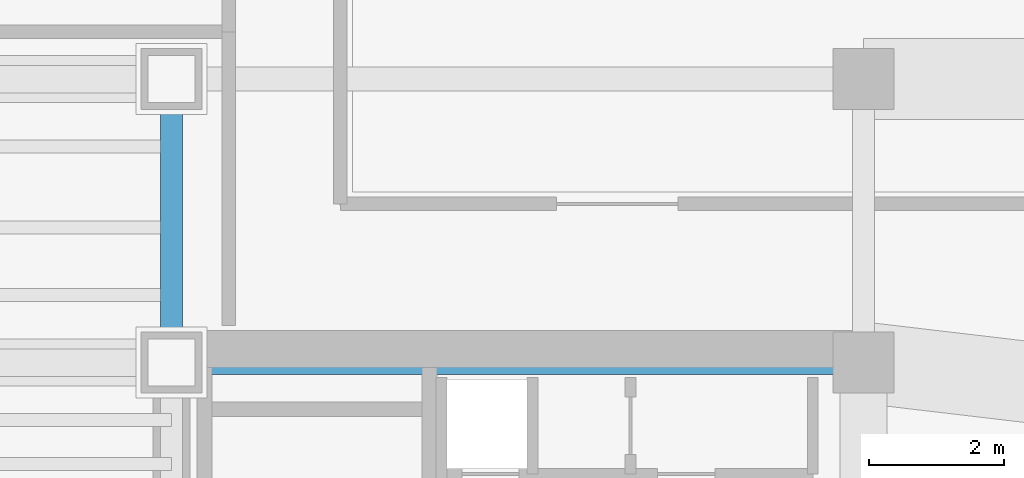
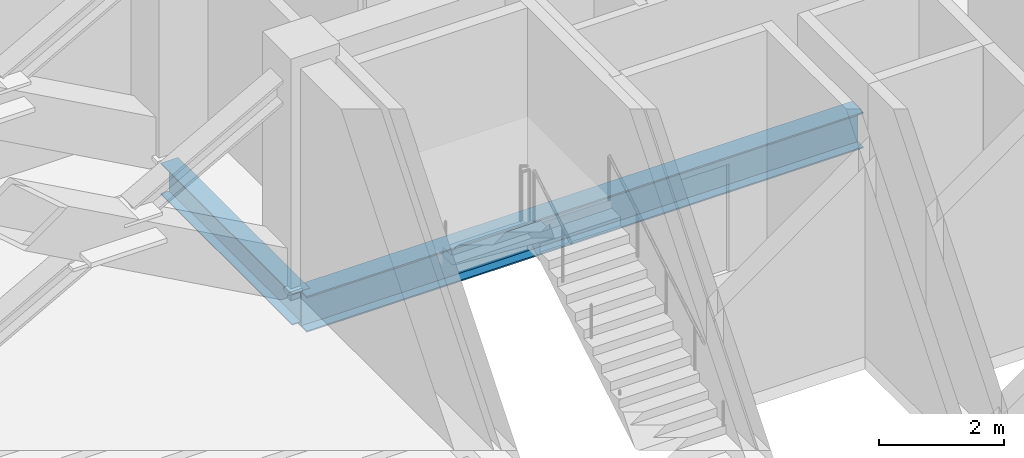
# One storey, part 8 of 20: 2 beams.
"""IFC4 building model written with IfcOpenShell, lengths in metres."""

from ifc_helpers import new_model, si_unit, direction, frame, origin, origin_2d, place, context, subcontext, project, spatial, i_section, extrude, source, transform, mapped, material, material_profile, profile_set, type_object, element, save


model = new_model("IFC4")

# Units and contexts
model_context = context("Model", 3, precision=1e-05, world=origin(), true_north=direction((0.0, 1.0)))
body_context = subcontext(model_context, "Body", "Model", "MODEL_VIEW")
ifc_project = project(units=[si_unit("LENGTHUNIT", "METRE"), si_unit("AREAUNIT", "SQUARE_METRE"), si_unit("VOLUMEUNIT", "CUBIC_METRE"), si_unit("PLANEANGLEUNIT", "RADIAN"), si_unit("MASSUNIT", "GRAM", prefix="KILO")], contexts=[model_context])

# Site, building, storey
site_placement = place(None, origin())
site = spatial("IfcSite", under=ifc_project, at=site_placement, CompositionType="ELEMENT")
building_placement = place(site_placement, origin())
building = spatial("IfcBuilding", under=site, at=building_placement, Name="Valdorenza Pilgrim Sanctuary Tower", CompositionType="ELEMENT")
storey_placement = place(building_placement, frame((0.0, 0.0, 196.300048828125)))
storey = spatial("IfcBuildingStorey", under=building, at=storey_placement, Name="L50", CompositionType="ELEMENT", Elevation=196.300048828125)

# Beams
ifc_material = material(Name="Steel ASTM A992 Grade 50", Category="steel")
ifc_material_profile_1 = material_profile(ifc_material, i_section(OverallWidth=0.323974609375, OverallDepth=0.611083984375, WebThickness=0.0126953125, FlangeThickness=0.01904296875, at=origin_2d()), Name="W24X104")
ifc_profile_set_1 = profile_set([ifc_material_profile_1], Name="Steel ASTM A992 Grade 50")
beam_type_1 = type_object("IfcBeamType", Name="STR-BM-GRD-W24B", PredefinedType="BEAM", material=ifc_profile_set_1)
shared_shape_1 = source(origin(), body_context, "Body", "SweptSolid", [
    extrude(i_section(OverallWidth=0.323974609375, OverallDepth=0.611083984375, WebThickness=0.0126953125, FlangeThickness=0.01904296875, at=origin_2d()), origin(), (0.0, 0.0, 1.0), 4.199951171875),
])
beam_1_placement = place(storey_placement, frame((-22.64990234375, 10.60009765625, -0.545654296875), z_axis=(0.0, 1.0, 0.0), x_axis=(-1.0, 0.0, 0.0)))
element("IfcBeam", 1, at=beam_1_placement, inside=storey, type_object=beam_type_1, Name="L50 Core Tie Girder CA-W-N1N2", PredefinedType="BEAM", context=body_context, shape_type="MappedRepresentation", body=[
    mapped(shared_shape_1, transform((0.0, 0.0, 0.0), x_axis=(1.0, 0.0, 0.0), y_axis=(0.0, 1.0, 0.0), z_axis=(0.0, 0.0, 1.0), scale=1.0)),
])
ifc_material_profile_2 = material_profile(ifc_material, i_section(OverallWidth=0.35595703125, OverallDepth=0.700927734375, WebThickness=0.016845703125, FlangeThickness=0.02734375, at=origin_2d()), Name="W27X161")
ifc_profile_set_2 = profile_set([ifc_material_profile_2], Name="Steel ASTM A992 Grade 50")
beam_type_2 = type_object("IfcBeamType", Name="STR-BM-GRD-W27", PredefinedType="BEAM", material=ifc_profile_set_2)
shared_shape_2 = source(origin(), body_context, "Body", "SweptSolid", [
    extrude(i_section(OverallWidth=0.35595703125, OverallDepth=0.700927734375, WebThickness=0.016845703125, FlangeThickness=0.02734375, at=origin_2d()), origin(), (0.0, 0.0, 1.0), 10.25),
])
beam_2_placement = place(storey_placement, frame((-22.64990234375, 10.60009765625, -0.590576171875), z_axis=(1.0, 0.0, 0.0), x_axis=(0.0, 1.0, 0.0)))
element("IfcBeam", 2, at=beam_2_placement, inside=storey, type_object=beam_type_2, Name="L50 Floor Girder CA-XC-N1", PredefinedType="BEAM", context=body_context, shape_type="MappedRepresentation", body=[
    mapped(shared_shape_2, transform((0.0, 0.0, 0.0), x_axis=(1.0, 0.0, 0.0), y_axis=(0.0, 1.0, 0.0), z_axis=(0.0, 0.0, 1.0), scale=1.0)),
])

save(model, "model.ifc")
